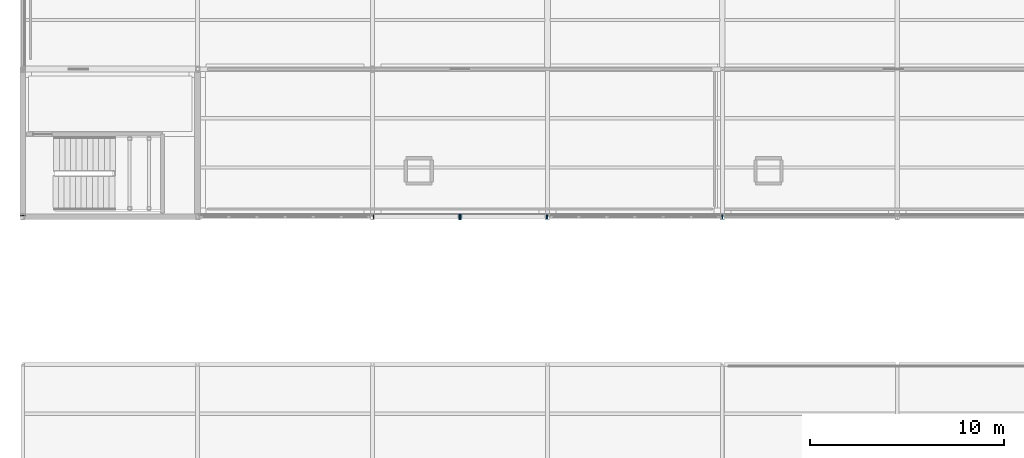
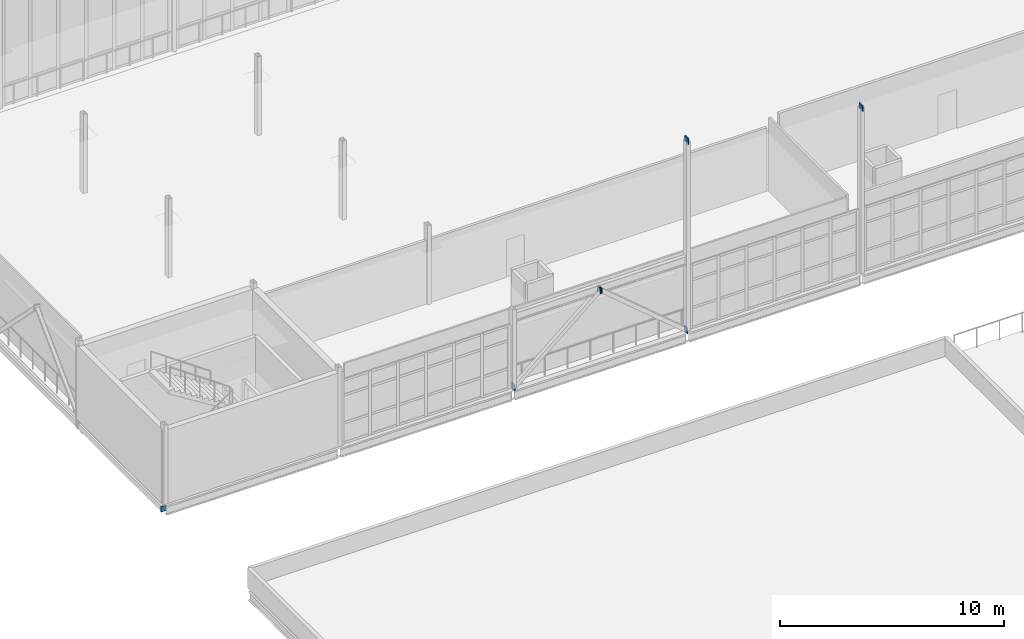
# One storey, part 139 of 166: 7 plates.
"""IFC4 building model written with IfcOpenShell, lengths in metres."""

from ifc_helpers import new_model, si_unit, direction, frame, origin, origin_2d, place, context, subcontext, project, spatial, rectangle, extrude, material, layer, layer_set, type_object, element, save


model = new_model("IFC4")

# Units and contexts
model_context = context("Model", 3, precision=1e-05, world=origin(), true_north=direction((0.0, 1.0)))
body_context = subcontext(model_context, "Body", "Model", "MODEL_VIEW")
ifc_project = project(units=[si_unit("LENGTHUNIT", "METRE"), si_unit("AREAUNIT", "SQUARE_METRE"), si_unit("VOLUMEUNIT", "CUBIC_METRE"), si_unit("PLANEANGLEUNIT", "RADIAN"), si_unit("MASSUNIT", "GRAM", prefix="KILO")], contexts=[model_context])

# Site, building, storey
site_placement = place(None, origin())
site = spatial("IfcSite", under=ifc_project, at=site_placement, CompositionType="ELEMENT")
building_placement = place(site_placement, origin())
building = spatial("IfcBuilding", under=site, at=building_placement, Name="Caisbarro Railhouse Central Library", CompositionType="ELEMENT")
storey_placement = place(building_placement, frame((0.0, 0.0, 9.360107421875)))
storey = spatial("IfcBuildingStorey", under=building, at=storey_placement, Name="L02", CompositionType="ELEMENT", Elevation=9.360107421875)

# Plates
ifc_material = material(Name="Steel ASTM A572 Grade 50", Category="steel")
ifc_layer_1 = layer(ifc_material, 0.044921875, Name="Steel ASTM A572 Grade 50")
ifc_layer_set_1 = layer_set([ifc_layer_1], Name="Steel ASTM A572 Grade 50")
plate_type_1 = type_object("IfcPlateType", Name="PLT-EP01", PredefinedType="SHEET", material=ifc_layer_set_1)
for number, where, z_axis, x_axis, name in (
    (1, (0.0, 30.468017578125, -0.52001953125), (0.0, 0.0, 1.0), (0.0, 1.0, 0.0), "EP01 end cap plate"),
    (2, (18.05078125, 30.39990234375, -0.1376953125), (0.0, 0.0, 1.0), (1.0, 0.0, 0.0), "EP01 end cap plate"),
    (3, (22.46923828125, 30.39990234375, 3.59765625), (0.0, 0.0, 1.0), (1.0, 0.0, 0.0), "EP01 end cap plate"),
    (4, (26.94921875, 30.39990234375, -0.1376953125), (0.0, 0.0, 1.0), (-1.0, 0.0, 0.0), "EP01 end cap plate"),
    (5, (22.53076171875, 30.39990234375, 3.59765625), (0.0, 0.0, 1.0), (-1.0, 0.0, 0.0), "EP01 end cap plate"),
):
    element("IfcPlate", number, at=place(storey_placement, frame(where, z_axis=z_axis, x_axis=x_axis)), inside=storey, type_object=plate_type_1, Name=name, PredefinedType="SHEET", context=body_context, shape_type="SweptSolid", body=[
        extrude(rectangle(XDim=0.044921875, YDim=0.280029296875, at=origin_2d()), origin(), (0.0, 0.0, 1.0), 0.300048828125),
    ])
ifc_layer_2 = layer(ifc_material, 0.054931640625, Name="Steel ASTM A572 Grade 50")
ifc_layer_set_2 = layer_set([ifc_layer_2], Name="Steel ASTM A572 Grade 50")
plate_type_2 = type_object("IfcPlateType", Name="PLT-EP02", PredefinedType="SHEET", material=ifc_layer_set_2)
for number, where, z_axis, x_axis, name in (
    (6, (27.0, 30.39990234375, 10.19189453125), (0.0, 0.0, 1.0), (1.0, 0.0, 0.0), "EP02 end cap plate"),
    (7, (36.0, 30.39990234375, 8.841796875), (0.0, 0.0, 1.0), (1.0, 0.0, 0.0), "EP02 end cap plate"),
):
    element("IfcPlate", number, at=place(storey_placement, frame(where, z_axis=z_axis, x_axis=x_axis)), inside=storey, type_object=plate_type_2, Name=name, PredefinedType="SHEET", context=body_context, shape_type="SweptSolid", body=[
        extrude(rectangle(XDim=0.054931640625, YDim=0.320068359375, at=origin_2d()), origin(), (0.0, 0.0, 1.0), 0.320068359375),
    ])

save(model, "model.ifc")
